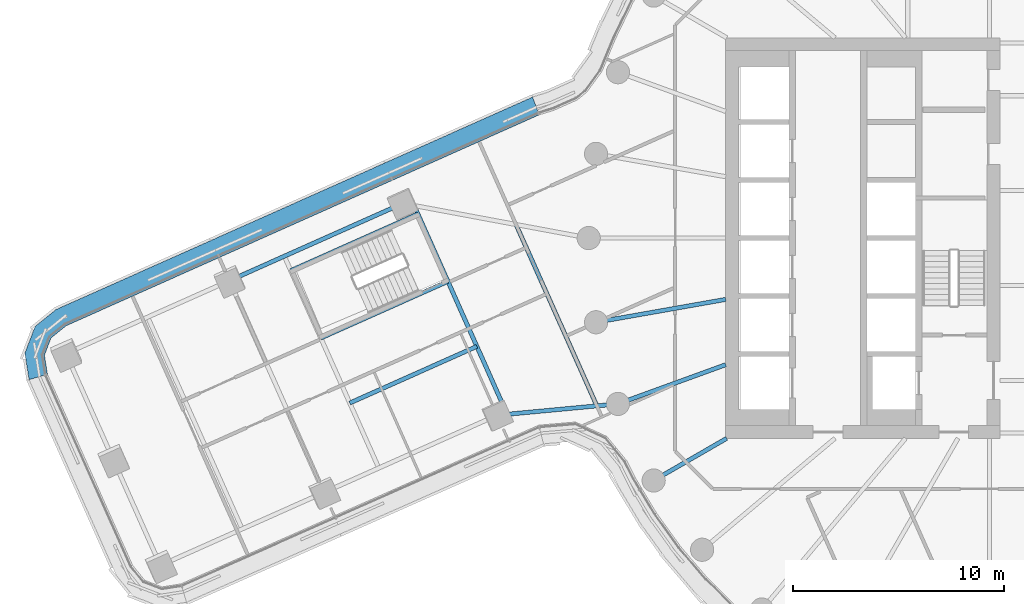
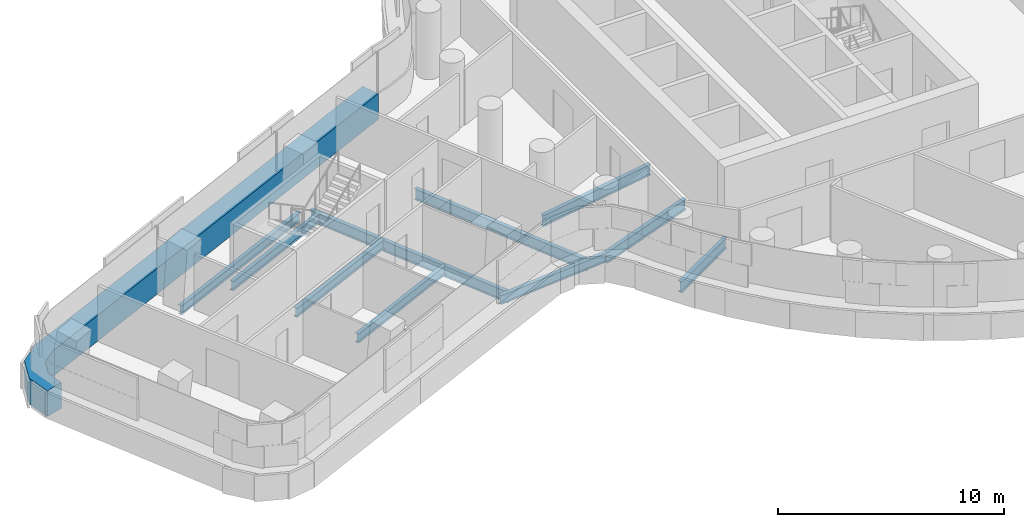
# One storey, part 6 of 35: 10 beams, 1 member, 1 element without a shape of its own.
"""IFC4 building model written with IfcOpenShell, lengths in metres."""

import ifcopenshell
import ifcopenshell.guid

model = None  # the IFC model being written
_history = None  # IfcOwnerHistory: only IFC2X3 demands one
_inside = {}  # id of a spatial element -> (the spatial element, [elements in it])
_under = {}  # id of a project, library or spatial element -> (it, [spatial elements below it])
_declared = {}  # id of a project -> (the project, [libraries it declares])
_typed = {}  # id of a type object -> (the type object, [elements of that type])
_made_of = {}  # id of a material, layer set ... -> (it, [elements and type objects made of it])


def new_model(schema):
    """Start an empty IFC model of exactly this schema.

    Asked for "IFC4X3", IfcOpenShell would pick the latest addendum, in which some entities
    have other attributes; the version numbers below select the first issue.
    IFC2X3 requires an IfcOwnerHistory on every rooted entity: one is made here for all.
    """
    global model, _history
    if schema == "IFC4X3":
        model = ifcopenshell.file(schema_version=(4, 3, 0, 0))
    else:
        model = ifcopenshell.file(schema=schema)
    _inside.clear()
    _under.clear()
    _declared.clear()
    _typed.clear()
    _made_of.clear()
    _history = None
    if model.schema == "IFC2X3":
        org = make("IfcOrganization", Name="unknown")
        user = make(
            "IfcPersonAndOrganization",
            ThePerson=make("IfcPerson", FamilyName="unknown"),
            TheOrganization=org,
        )
        app = make(
            "IfcApplication",
            ApplicationDeveloper=org,
            Version="unknown",
            ApplicationFullName="unknown",
            ApplicationIdentifier="unknown",
        )
        _history = make(
            "IfcOwnerHistory",
            OwningUser=user,
            OwningApplication=app,
            ChangeAction="ADDED",
            CreationDate=0,
        )
    return model


def make(cls, **values):
    """One entity of the class cls with the attributes given. An attribute that is None is left unset."""
    return model.create_entity(
        cls, **{name: value for name, value in values.items() if value is not None}
    )


def rooted(cls, **values):
    """An entity with a GlobalId (a new one), such as an element, a storey or a relation."""
    return make(cls, GlobalId=ifcopenshell.guid.new(), OwnerHistory=_history, **values)


def si_unit(unit_type, name, prefix=None):
    """IfcSIUnit, for example si_unit("LENGTHUNIT", "METRE", prefix="MILLI")."""
    return make("IfcSIUnit", UnitType=unit_type, Prefix=prefix, Name=name)


def assignment(units):
    """IfcUnitAssignment: the units of a project."""
    return None if units is None else make("IfcUnitAssignment", Units=units)


def point(xyz):
    """IfcCartesianPoint."""
    return None if xyz is None else make("IfcCartesianPoint", Coordinates=xyz)


def direction(xyz):
    """IfcDirection."""
    return None if xyz is None else make("IfcDirection", DirectionRatios=xyz)


def frame(location, z_axis=None, x_axis=None):
    """IfcAxis2Placement3D, a coordinate frame: its origin and axes. An axis left out is left unset."""
    return make(
        "IfcAxis2Placement3D",
        Location=point(location),
        Axis=direction(z_axis),
        RefDirection=direction(x_axis),
    )


def frame_2d(location, x_axis=None):
    """IfcAxis2Placement2D, a coordinate frame in the plane: its origin and x axis."""
    return make(
        "IfcAxis2Placement2D", Location=point(location), RefDirection=direction(x_axis)
    )


def origin():
    """The frame at (0, 0, 0) with its axes left unset."""
    return frame((0.0, 0.0, 0.0))


def origin_2d():
    """The frame at (0, 0) in the plane with its x axis left unset."""
    return frame_2d((0.0, 0.0))


def place(relative_to, where):
    """IfcLocalPlacement: puts the frame where relative to a parent placement (None: the world)."""
    return make(
        "IfcLocalPlacement", PlacementRelTo=relative_to, RelativePlacement=where
    )


def context(
    kind, dimensions, precision=None, world=None, true_north=None, identifier=None
):
    """IfcGeometricRepresentationContext, for example the 3D "Model" context."""
    return make(
        "IfcGeometricRepresentationContext",
        ContextIdentifier=identifier,
        ContextType=kind,
        CoordinateSpaceDimension=dimensions,
        Precision=precision,
        WorldCoordinateSystem=world,
        TrueNorth=true_north,
    )


def subcontext(parent, identifier, kind, view, scale=None):
    """IfcGeometricRepresentationSubContext, for example "Body" below "Model"."""
    return make(
        "IfcGeometricRepresentationSubContext",
        ContextIdentifier=identifier,
        ContextType=kind,
        ParentContext=parent,
        TargetScale=scale,
        TargetView=view,
    )


def project(units=None, contexts=None):
    """IfcProject with its units and contexts."""
    return rooted(
        "IfcProject",
        Name="project",
        RepresentationContexts=contexts,
        UnitsInContext=assignment(units),
    )


def spatial(cls, under=None, at=None, **own):
    """A site, building, storey or space (cls), placed at a placement, below another one or the project."""
    s = rooted(cls, ObjectPlacement=at, **own)
    if under is not None:
        _under.setdefault(under.id(), (under, []))[1].append(s)
    return s


def polyline(points):
    """IfcPolyline through the points."""
    return make("IfcPolyline", Points=[point(p) for p in points])


def profile(cls, at=None, kind="AREA", **sizes):
    """A parametric profile (cls). Its sizes go by their IFC names, for example OverallWidth=200.0."""
    return make(cls, ProfileType=kind, Position=at, **sizes)


def i_section(**sizes):
    """IfcIShapeProfileDef."""
    return profile("IfcIShapeProfileDef", **sizes)


def outline(outer, holes=None, kind="AREA"):
    """IfcArbitraryClosedProfileDef: a profile drawn as a closed curve; with holes, ...WithVoids."""
    if holes is None:
        return make("IfcArbitraryClosedProfileDef", ProfileType=kind, OuterCurve=outer)
    return make(
        "IfcArbitraryProfileDefWithVoids",
        ProfileType=kind,
        OuterCurve=outer,
        InnerCurves=holes,
    )


def extrude(swept, where, along, depth):
    """IfcExtrudedAreaSolid: the profile swept, set in the frame where, extruded along a direction by depth."""
    return make(
        "IfcExtrudedAreaSolid",
        SweptArea=swept,
        Position=where,
        ExtrudedDirection=direction(along),
        Depth=depth,
    )


def shape(context_of_items, identifier, shape_type, items):
    """IfcShapeRepresentation: the items that make up one representation, for example the "Body"."""
    return make(
        "IfcShapeRepresentation",
        ContextOfItems=context_of_items,
        RepresentationIdentifier=identifier,
        RepresentationType=shape_type,
        Items=items,
    )


def material(Name=None, Category=None):
    """IfcMaterial."""
    return make("IfcMaterial", Name=Name, Category=Category)


def layer(
    of_material, thickness, ventilated=None, Name=None, Category=None, Priority=None
):
    """IfcMaterialLayer: one layer of a wall or slab, of a material (None: an air gap)."""
    return make(
        "IfcMaterialLayer",
        Material=of_material,
        LayerThickness=thickness,
        IsVentilated=ventilated,
        Name=Name,
        Category=Category,
        Priority=Priority,
    )


def layer_set(layers, Name=None):
    """IfcMaterialLayerSet."""
    return make("IfcMaterialLayerSet", MaterialLayers=layers, LayerSetName=Name)


def material_profile(
    of_material, cross_section, Name=None, Category=None, Priority=None
):
    """IfcMaterialProfile: a cross section and its material."""
    return make(
        "IfcMaterialProfile",
        Name=Name,
        Material=of_material,
        Profile=cross_section,
        Priority=Priority,
        Category=Category,
    )


def profile_set(profiles, Name=None, composite=None):
    """IfcMaterialProfileSet."""
    return make(
        "IfcMaterialProfileSet",
        Name=Name,
        MaterialProfiles=profiles,
        CompositeProfile=composite,
    )


def made_of(thing, what):
    """Note that an element or type object is made of a material, layer set ...; save() writes the relation."""
    if what is not None:
        _made_of.setdefault(what.id(), (what, []))[1].append(thing)
    return thing


def type_object(cls, material=None, **own):
    """A type object (cls), such as IfcWallType, which elements share."""
    return made_of(rooted(cls, **own), material)


def element(
    cls,
    number,
    at=None,
    inside=None,
    cuts=None,
    type_object=None,
    material=None,
    context=None,
    identifier="Body",
    shape_type=None,
    held_by="IfcProductDefinitionShape",
    body=None,
    shapes=None,
    **own,
):
    """One element of the class cls, such as IfcWall. Its Tag is "e" and its number.

    at: its placement. inside: the storey or other place that contains it. cuts: it is an
    opening in that element (IfcRelVoidsElement). A single representation is given by context,
    identifier, shape_type and body (its items); several are given by shapes. held_by: the class
    of the entity that holds the representations. save() writes the other relations.
    """
    e = rooted(cls, Tag="e%d" % number, ObjectPlacement=at, **own)
    if body is not None:
        shapes = [shape(context, identifier, shape_type, body)]
    if shapes is not None:
        e.Representation = make(held_by, Representations=shapes)
    if inside is not None:
        _inside.setdefault(inside.id(), (inside, []))[1].append(e)
    if cuts is not None:
        rooted(
            "IfcRelVoidsElement", RelatingBuildingElement=cuts, RelatedOpeningElement=e
        )
    if type_object is not None:
        _typed.setdefault(type_object.id(), (type_object, []))[1].append(e)
    return made_of(e, material)


def aggregate(whole, parts):
    """IfcRelAggregates: a whole, such as a stair, and the parts it consists of."""
    return rooted("IfcRelAggregates", RelatingObject=whole, RelatedObjects=parts)


def save(model, path):
    """Write the relations noted so far, then the file.

    IfcRelAggregates (storeys below a building ...), IfcRelContainedInSpatialStructure (elements
    in a storey), IfcRelDefinesByType, IfcRelAssociatesMaterial and IfcRelDeclares: one each for
    every whole, place, type object, material and project.
    """
    for whole, parts in _under.values():
        aggregate(whole, parts)
    for where, things in _inside.values():
        rooted(
            "IfcRelContainedInSpatialStructure",
            RelatedElements=things,
            RelatingStructure=where,
        )
    for kind, things in _typed.values():
        rooted("IfcRelDefinesByType", RelatedObjects=things, RelatingType=kind)
    for what, things in _made_of.values():
        rooted("IfcRelAssociatesMaterial", RelatedObjects=things, RelatingMaterial=what)
    for by, libraries in _declared.values():
        rooted("IfcRelDeclares", RelatingContext=by, RelatedDefinitions=libraries)
    model.write(path)


model = new_model("IFC4")

# Units and contexts
model_context = context("Model", 3, precision=1e-05, world=origin(), true_north=direction((0.0, 1.0)))
body_context = subcontext(model_context, "Body", "Model", "MODEL_VIEW")
ifc_project = project(units=[si_unit("LENGTHUNIT", "METRE"), si_unit("AREAUNIT", "SQUARE_METRE"), si_unit("VOLUMEUNIT", "CUBIC_METRE"), si_unit("PLANEANGLEUNIT", "RADIAN"), si_unit("MASSUNIT", "GRAM", prefix="KILO")], contexts=[model_context])

# Site, building, storey
site_placement = place(None, origin())
site = spatial("IfcSite", under=ifc_project, at=site_placement, CompositionType="ELEMENT")
building_placement = place(site_placement, origin())
building = spatial("IfcBuilding", under=site, at=building_placement, Name="Tamarind Cross Interchange Tower", CompositionType="ELEMENT")
storey_placement = place(building_placement, frame((0.0, 0.0, 121.0)))
storey = spatial("IfcBuildingStorey", under=building, at=storey_placement, Name="L29", CompositionType="ELEMENT", Elevation=121.0)

# Beams
ifc_material_1 = material(Name="Steel Q355B", Category="steel")
ifc_material_profile_1 = material_profile(ifc_material_1, i_section(OverallWidth=0.198974609375, OverallDepth=0.49609375, WebThickness=0.009033203125, FlangeThickness=0.013916015625, FilletRadius=0.012939453125, at=origin_2d()), Name="HN 496x199x9x14")
ifc_profile_set_1 = profile_set([ifc_material_profile_1], Name="Steel Q355B")
beam_type_1 = type_object("IfcBeamType", Name="Composite beam HN 496x199x9x14 Q355B", PredefinedType="BEAM", material=ifc_profile_set_1)
beam_1_placement = place(storey_placement, frame((-40.040283203125, -2.021728515625, -0.387939453125), z_axis=(0.913327655612, 0.407225482374, 0.0), x_axis=(-0.407225482374, 0.913327655612, 0.0)))
element("IfcBeam", 1, at=beam_1_placement, inside=storey, type_object=beam_type_1, Name="Beam W-edgeem6", PredefinedType="BEAM", context=body_context, shape_type="SweptSolid", body=[
    extrude(i_section(OverallWidth=0.198974609375, OverallDepth=0.49609375, WebThickness=0.009033203125, FlangeThickness=0.013916015625, FilletRadius=0.012939453125, at=origin_2d()), origin(), (0.0, 0.0, 1.0), 9.0),
])
beam_2_placement = place(storey_placement, frame((-27.3408203125, -8.4033203125, -0.387939453125), z_axis=(0.995636074563, 0.093320989215, 0.0), x_axis=(-0.093320989215, 0.995636074563, 0.0)))
element("IfcBeam", 2, at=beam_2_placement, inside=storey, type_object=beam_type_1, Name="Beam W-linkep", PredefinedType="BEAM", context=body_context, shape_type="SweptSolid", body=[
    extrude(i_section(OverallWidth=0.198974609375, OverallDepth=0.49609375, WebThickness=0.009033203125, FlangeThickness=0.013916015625, FilletRadius=0.012939453125, at=origin_2d()), origin(), (0.0, 0.0, 1.0), 5.7529296875),
])
for number, where, z_axis, x_axis, name in (
    (3, (-31.10400390625, 1.1416015625, -0.387939453125), (-0.9133212232, -0.407239908717, 0.0), (0.407239908717, -0.9133212232, 0.0), "Beam W-tr0"),
    (4, (-29.6787109375, -2.054931640625, -0.387939453125), (-0.9133212232, -0.407239908717, 0.0), (0.407239908717, -0.9133212232, 0.0), "Beam W-tr1"),
):
    element("IfcBeam", number, at=place(storey_placement, frame(where, z_axis=z_axis, x_axis=x_axis)), inside=storey, type_object=beam_type_1, Name=name, PredefinedType="BEAM", context=body_context, shape_type="SweptSolid", body=[
        extrude(i_section(OverallWidth=0.198974609375, OverallDepth=0.49609375, WebThickness=0.009033203125, FlangeThickness=0.013916015625, FilletRadius=0.012939453125, at=origin_2d()), origin(), (0.0, 0.0, 1.0), 6.599853515625),
    ])
beam_3_placement = place(storey_placement, frame((-28.30419921875, -5.137451171875, -0.387939453125), z_axis=(-0.913327357728, -0.407226150469, 0.0), x_axis=(0.407226150469, -0.913327357728, 0.0)))
element("IfcBeam", 5, at=beam_3_placement, inside=storey, type_object=beam_type_1, Name="Beam W-stripp", PredefinedType="BEAM", context=body_context, shape_type="SweptSolid", body=[
    extrude(i_section(OverallWidth=0.198974609375, OverallDepth=0.49609375, WebThickness=0.009033203125, FlangeThickness=0.013916015625, FilletRadius=0.012939453125, at=origin_2d()), origin(), (0.0, 0.0, 1.0), 6.60009765625),
])
ifc_material_profile_2 = material_profile(ifc_material_1, i_section(OverallWidth=0.198974609375, OverallDepth=0.595947265625, WebThickness=0.010009765625, FlangeThickness=0.014892578125, FilletRadius=0.012939453125, at=origin_2d()), Name="HN 596x199x10x15")
ifc_profile_set_2 = profile_set([ifc_material_profile_2], Name="Steel Q355B")
beam_type_2 = type_object("IfcBeamType", Name="Composite beam HN 596x199x10x15 Q355B", PredefinedType="BEAM", material=ifc_profile_set_2)
beam_4_placement = place(storey_placement, frame((-22.650634765625, -3.993896484375, -0.43798828125), z_axis=(0.984809127561, 0.173640382036, 0.0), x_axis=(-0.173640382036, 0.984809127561, 0.0)))
element("IfcBeam", 6, at=beam_4_placement, inside=storey, type_object=beam_type_2, Name="Beam HH19", PredefinedType="BEAM", context=body_context, shape_type="SweptSolid", body=[
    extrude(i_section(OverallWidth=0.198974609375, OverallDepth=0.595947265625, WebThickness=0.010009765625, FlangeThickness=0.014892578125, FilletRadius=0.012939453125, at=origin_2d()), origin(), (0.0, 0.0, 1.0), 6.24560546875),
])
beam_5_placement = place(storey_placement, frame((-21.613037109375, -7.866455078125, -0.43798828125), z_axis=(0.939701685589, 0.341995236956, 0.0), x_axis=(-0.341995236956, 0.939701685589, 0.0)))
element("IfcBeam", 7, at=beam_5_placement, inside=storey, type_object=beam_type_2, Name="Beam HH20", PredefinedType="BEAM", context=body_context, shape_type="SweptSolid", body=[
    extrude(i_section(OverallWidth=0.198974609375, OverallDepth=0.595947265625, WebThickness=0.010009765625, FlangeThickness=0.014892578125, FilletRadius=0.012939453125, at=origin_2d()), origin(), (0.0, 0.0, 1.0), 5.441162109375),
])
beam_6_placement = place(storey_placement, frame((-19.918701171875, -11.5, -0.43798828125), z_axis=(0.866026010844, 0.49999894854, 0.0), x_axis=(-0.49999894854, 0.866026010844, 0.0)))
element("IfcBeam", 8, at=beam_6_placement, inside=storey, type_object=beam_type_2, Name="Beam HH21", PredefinedType="BEAM", context=body_context, shape_type="SweptSolid", body=[
    extrude(i_section(OverallWidth=0.198974609375, OverallDepth=0.595947265625, WebThickness=0.010009765625, FlangeThickness=0.014892578125, FilletRadius=0.012939453125, at=origin_2d()), origin(), (0.0, 0.0, 1.0), 4.0),
])
ifc_material_profile_3 = material_profile(ifc_material_1, i_section(OverallWidth=0.199951171875, OverallDepth=0.60009765625, WebThickness=0.010986328125, FlangeThickness=0.01708984375, FilletRadius=0.012939453125, at=origin_2d()), Name="HN 600x200x11x17")
ifc_profile_set_3 = profile_set([ifc_material_profile_3], Name="Steel Q355B")
beam_type_3 = type_object("IfcBeamType", Name="Composite beam HN 600x200x11x17 Q355B", PredefinedType="BEAM", material=ifc_profile_set_3)
beam_7_placement = place(storey_placement, frame((-31.282958984375, 1.543212890625, -0.43994140625), z_axis=(0.407224638817, -0.913328031728, 0.0), x_axis=(0.913328031728, 0.407224638817, 0.0)))
element("IfcBeam", 9, at=beam_7_placement, inside=storey, type_object=beam_type_3, Name="Beam W-x298", PredefinedType="BEAM", context=body_context, shape_type="SweptSolid", body=[
    extrude(i_section(OverallWidth=0.199951171875, OverallDepth=0.60009765625, WebThickness=0.010986328125, FlangeThickness=0.01708984375, FilletRadius=0.012939453125, at=origin_2d()), origin(), (0.0, 0.0, 1.0), 10.841796875),
])
beam_8_placement = place(storey_placement, frame((-26.447021484375, 0.642333984375, -0.43994140625), z_axis=(0.407220453871, -0.913329897654, 0.0), x_axis=(0.913329897654, 0.407220453871, 0.0)))
element("IfcBeam", 10, at=beam_8_placement, inside=storey, type_object=beam_type_3, Name="Beam W-x258", PredefinedType="BEAM", context=body_context, shape_type="SweptSolid", body=[
    extrude(i_section(OverallWidth=0.199951171875, OverallDepth=0.60009765625, WebThickness=0.010986328125, FlangeThickness=0.01708984375, FilletRadius=0.012939453125, at=origin_2d()), origin(), (0.0, 0.0, 1.0), 9.418701171875),
])

# Curtain wall, member
ifc_material_2 = material(Name="Aluminium 6063-T6", Category="aluminium")
ifc_layer = layer(ifc_material_2, 0.159912109375)
ifc_layer_set = layer_set([ifc_layer], Name="Aluminium 6063-T6")
curtain_wall_type = type_object("IfcCurtainWallType", Name="Office curtain wall, 9.0 m bays", PredefinedType="NOTDEFINED", material=ifc_layer_set)
curtain_wall_placement = place(storey_placement, origin())
curtain_wall = element("IfcCurtainWall", 11, at=curtain_wall_placement, inside=storey, type_object=curtain_wall_type, Name="CWS-L29-15", PredefinedType="NOTDEFINED")
ifc_material_3 = material(Name="Aluminium and insulated spandrel panel", Category="aluminium")
member_type = type_object("IfcMemberType", Name="Floor-edge blade transom", PredefinedType="USERDEFINED", material=ifc_material_3)
member_placement = place(storey_placement, origin())
member = element("IfcMember", 12, at=member_placement, type_object=member_type, Name="CWT-L29-15", ObjectType="TRANSOM", PredefinedType="USERDEFINED", context=body_context, shape_type="SweptSolid", body=[
    extrude(outline(polyline([(-25.34619140625, 5.843994140625), (-47.791748046875, -4.163818359375), (-48.5029296875, -4.740234375), (-48.81591796875, -5.556884765625), (-48.672119140625, -6.4609375), (-49.54248046875, -6.71923828125), (-49.742431640625, -5.4599609375), (-49.257080078125, -4.193115234375), (-48.2666015625, -3.39013671875), (-25.6630859375, 6.68798828125), (-25.34619140625, 5.843994140625)])), origin(), (0.0, 0.0, 1.0), 1.39990234375),
])
aggregate(curtain_wall, [member])

save(model, "model.ifc")
